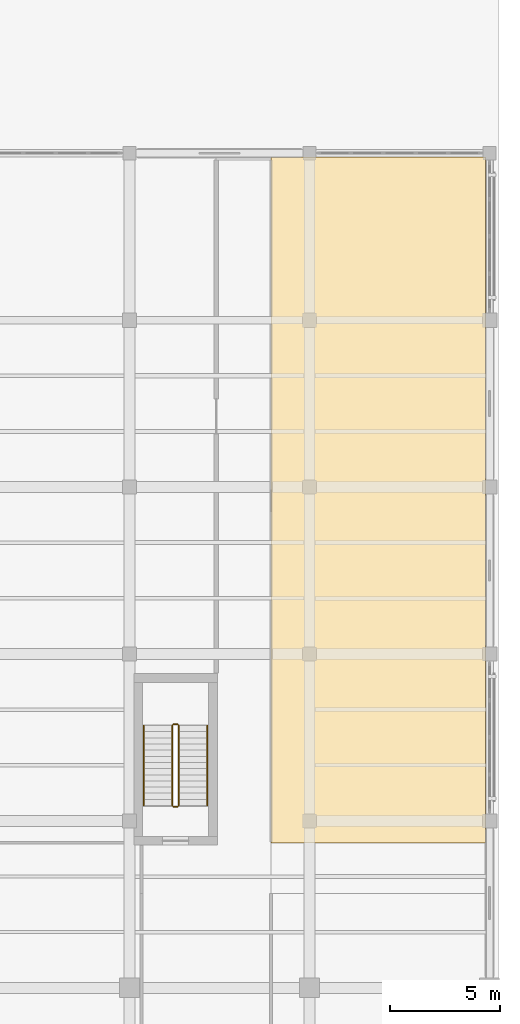
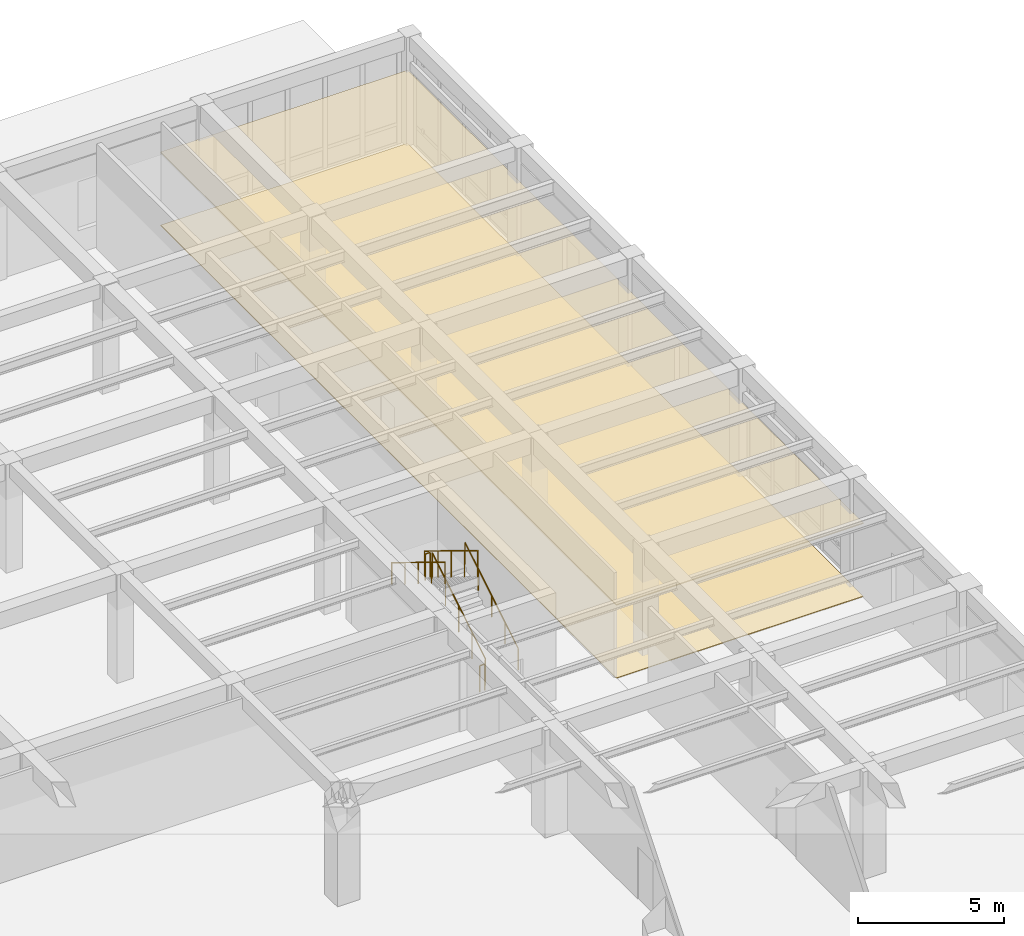
# One storey, part 49 of 49: 6 railings, 2 coverings.
"""IFC4 building model written with IfcOpenShell, lengths in metres."""

import ifcopenshell
import ifcopenshell.guid

model = None  # the IFC model being written
_history = None  # IfcOwnerHistory: only IFC2X3 demands one
_inside = {}  # id of a spatial element -> (the spatial element, [elements in it])
_under = {}  # id of a project, library or spatial element -> (it, [spatial elements below it])
_declared = {}  # id of a project -> (the project, [libraries it declares])
_typed = {}  # id of a type object -> (the type object, [elements of that type])
_made_of = {}  # id of a material, layer set ... -> (it, [elements and type objects made of it])


def new_model(schema):
    """Start an empty IFC model of exactly this schema.

    Asked for "IFC4X3", IfcOpenShell would pick the latest addendum, in which some entities
    have other attributes; the version numbers below select the first issue.
    IFC2X3 requires an IfcOwnerHistory on every rooted entity: one is made here for all.
    """
    global model, _history
    if schema == "IFC4X3":
        model = ifcopenshell.file(schema_version=(4, 3, 0, 0))
    else:
        model = ifcopenshell.file(schema=schema)
    _inside.clear()
    _under.clear()
    _declared.clear()
    _typed.clear()
    _made_of.clear()
    _history = None
    if model.schema == "IFC2X3":
        org = make("IfcOrganization", Name="unknown")
        user = make(
            "IfcPersonAndOrganization",
            ThePerson=make("IfcPerson", FamilyName="unknown"),
            TheOrganization=org,
        )
        app = make(
            "IfcApplication",
            ApplicationDeveloper=org,
            Version="unknown",
            ApplicationFullName="unknown",
            ApplicationIdentifier="unknown",
        )
        _history = make(
            "IfcOwnerHistory",
            OwningUser=user,
            OwningApplication=app,
            ChangeAction="ADDED",
            CreationDate=0,
        )
    return model


def make(cls, **values):
    """One entity of the class cls with the attributes given. An attribute that is None is left unset."""
    return model.create_entity(
        cls, **{name: value for name, value in values.items() if value is not None}
    )


def rooted(cls, **values):
    """An entity with a GlobalId (a new one), such as an element, a storey or a relation."""
    return make(cls, GlobalId=ifcopenshell.guid.new(), OwnerHistory=_history, **values)


def si_unit(unit_type, name, prefix=None):
    """IfcSIUnit, for example si_unit("LENGTHUNIT", "METRE", prefix="MILLI")."""
    return make("IfcSIUnit", UnitType=unit_type, Prefix=prefix, Name=name)


def assignment(units):
    """IfcUnitAssignment: the units of a project."""
    return None if units is None else make("IfcUnitAssignment", Units=units)


def point(xyz):
    """IfcCartesianPoint."""
    return None if xyz is None else make("IfcCartesianPoint", Coordinates=xyz)


def direction(xyz):
    """IfcDirection."""
    return None if xyz is None else make("IfcDirection", DirectionRatios=xyz)


def frame(location, z_axis=None, x_axis=None):
    """IfcAxis2Placement3D, a coordinate frame: its origin and axes. An axis left out is left unset."""
    return make(
        "IfcAxis2Placement3D",
        Location=point(location),
        Axis=direction(z_axis),
        RefDirection=direction(x_axis),
    )


def frame_2d(location, x_axis=None):
    """IfcAxis2Placement2D, a coordinate frame in the plane: its origin and x axis."""
    return make(
        "IfcAxis2Placement2D", Location=point(location), RefDirection=direction(x_axis)
    )


def origin():
    """The frame at (0, 0, 0) with its axes left unset."""
    return frame((0.0, 0.0, 0.0))


def origin_2d():
    """The frame at (0, 0) in the plane with its x axis left unset."""
    return frame_2d((0.0, 0.0))


def place(relative_to, where):
    """IfcLocalPlacement: puts the frame where relative to a parent placement (None: the world)."""
    return make(
        "IfcLocalPlacement", PlacementRelTo=relative_to, RelativePlacement=where
    )


def context(
    kind, dimensions, precision=None, world=None, true_north=None, identifier=None
):
    """IfcGeometricRepresentationContext, for example the 3D "Model" context."""
    return make(
        "IfcGeometricRepresentationContext",
        ContextIdentifier=identifier,
        ContextType=kind,
        CoordinateSpaceDimension=dimensions,
        Precision=precision,
        WorldCoordinateSystem=world,
        TrueNorth=true_north,
    )


def subcontext(parent, identifier, kind, view, scale=None):
    """IfcGeometricRepresentationSubContext, for example "Body" below "Model"."""
    return make(
        "IfcGeometricRepresentationSubContext",
        ContextIdentifier=identifier,
        ContextType=kind,
        ParentContext=parent,
        TargetScale=scale,
        TargetView=view,
    )


def project(units=None, contexts=None):
    """IfcProject with its units and contexts."""
    return rooted(
        "IfcProject",
        Name="project",
        RepresentationContexts=contexts,
        UnitsInContext=assignment(units),
    )


def spatial(cls, under=None, at=None, **own):
    """A site, building, storey or space (cls), placed at a placement, below another one or the project."""
    s = rooted(cls, ObjectPlacement=at, **own)
    if under is not None:
        _under.setdefault(under.id(), (under, []))[1].append(s)
    return s


def polyline(points):
    """IfcPolyline through the points."""
    return make("IfcPolyline", Points=[point(p) for p in points])


def profile(cls, at=None, kind="AREA", **sizes):
    """A parametric profile (cls). Its sizes go by their IFC names, for example OverallWidth=200.0."""
    return make(cls, ProfileType=kind, Position=at, **sizes)


def circle(**sizes):
    """IfcCircleProfileDef."""
    return profile("IfcCircleProfileDef", **sizes)


def outline(outer, holes=None, kind="AREA"):
    """IfcArbitraryClosedProfileDef: a profile drawn as a closed curve; with holes, ...WithVoids."""
    if holes is None:
        return make("IfcArbitraryClosedProfileDef", ProfileType=kind, OuterCurve=outer)
    return make(
        "IfcArbitraryProfileDefWithVoids",
        ProfileType=kind,
        OuterCurve=outer,
        InnerCurves=holes,
    )


def extrude(swept, where, along, depth):
    """IfcExtrudedAreaSolid: the profile swept, set in the frame where, extruded along a direction by depth."""
    return make(
        "IfcExtrudedAreaSolid",
        SweptArea=swept,
        Position=where,
        ExtrudedDirection=direction(along),
        Depth=depth,
    )


def shape(context_of_items, identifier, shape_type, items):
    """IfcShapeRepresentation: the items that make up one representation, for example the "Body"."""
    return make(
        "IfcShapeRepresentation",
        ContextOfItems=context_of_items,
        RepresentationIdentifier=identifier,
        RepresentationType=shape_type,
        Items=items,
    )


def material(Name=None, Category=None):
    """IfcMaterial."""
    return make("IfcMaterial", Name=Name, Category=Category)


def layer(
    of_material, thickness, ventilated=None, Name=None, Category=None, Priority=None
):
    """IfcMaterialLayer: one layer of a wall or slab, of a material (None: an air gap)."""
    return make(
        "IfcMaterialLayer",
        Material=of_material,
        LayerThickness=thickness,
        IsVentilated=ventilated,
        Name=Name,
        Category=Category,
        Priority=Priority,
    )


def layer_set(layers, Name=None):
    """IfcMaterialLayerSet."""
    return make("IfcMaterialLayerSet", MaterialLayers=layers, LayerSetName=Name)


def made_of(thing, what):
    """Note that an element or type object is made of a material, layer set ...; save() writes the relation."""
    if what is not None:
        _made_of.setdefault(what.id(), (what, []))[1].append(thing)
    return thing


def type_object(cls, material=None, **own):
    """A type object (cls), such as IfcWallType, which elements share."""
    return made_of(rooted(cls, **own), material)


def element(
    cls,
    number,
    at=None,
    inside=None,
    cuts=None,
    type_object=None,
    material=None,
    context=None,
    identifier="Body",
    shape_type=None,
    held_by="IfcProductDefinitionShape",
    body=None,
    shapes=None,
    **own,
):
    """One element of the class cls, such as IfcWall. Its Tag is "e" and its number.

    at: its placement. inside: the storey or other place that contains it. cuts: it is an
    opening in that element (IfcRelVoidsElement). A single representation is given by context,
    identifier, shape_type and body (its items); several are given by shapes. held_by: the class
    of the entity that holds the representations. save() writes the other relations.
    """
    e = rooted(cls, Tag="e%d" % number, ObjectPlacement=at, **own)
    if body is not None:
        shapes = [shape(context, identifier, shape_type, body)]
    if shapes is not None:
        e.Representation = make(held_by, Representations=shapes)
    if inside is not None:
        _inside.setdefault(inside.id(), (inside, []))[1].append(e)
    if cuts is not None:
        rooted(
            "IfcRelVoidsElement", RelatingBuildingElement=cuts, RelatedOpeningElement=e
        )
    if type_object is not None:
        _typed.setdefault(type_object.id(), (type_object, []))[1].append(e)
    return made_of(e, material)


def aggregate(whole, parts):
    """IfcRelAggregates: a whole, such as a stair, and the parts it consists of."""
    return rooted("IfcRelAggregates", RelatingObject=whole, RelatedObjects=parts)


def save(model, path):
    """Write the relations noted so far, then the file.

    IfcRelAggregates (storeys below a building ...), IfcRelContainedInSpatialStructure (elements
    in a storey), IfcRelDefinesByType, IfcRelAssociatesMaterial and IfcRelDeclares: one each for
    every whole, place, type object, material and project.
    """
    for whole, parts in _under.values():
        aggregate(whole, parts)
    for where, things in _inside.values():
        rooted(
            "IfcRelContainedInSpatialStructure",
            RelatedElements=things,
            RelatingStructure=where,
        )
    for kind, things in _typed.values():
        rooted("IfcRelDefinesByType", RelatedObjects=things, RelatingType=kind)
    for what, things in _made_of.values():
        rooted("IfcRelAssociatesMaterial", RelatedObjects=things, RelatingMaterial=what)
    for by, libraries in _declared.values():
        rooted("IfcRelDeclares", RelatingContext=by, RelatedDefinitions=libraries)
    model.write(path)


model = new_model("IFC4")

# Units and contexts
model_context = context("Model", 3, precision=1e-05, world=origin(), true_north=direction((0.0, 1.0)))
body_context = subcontext(model_context, "Body", "Model", "MODEL_VIEW")
ifc_project = project(units=[si_unit("LENGTHUNIT", "METRE"), si_unit("AREAUNIT", "SQUARE_METRE"), si_unit("VOLUMEUNIT", "CUBIC_METRE"), si_unit("PLANEANGLEUNIT", "RADIAN"), si_unit("MASSUNIT", "GRAM", prefix="KILO")], contexts=[model_context])

# Site, building, storey
site_placement = place(None, origin())
site = spatial("IfcSite", under=ifc_project, at=site_placement, CompositionType="ELEMENT")
building_placement = place(site_placement, origin())
building = spatial("IfcBuilding", under=site, at=building_placement, Name="Qandaris Square Conservatory and Botanical Centre", CompositionType="ELEMENT")
storey_placement = place(building_placement, frame((0.0, 0.0, 10.199951171875)))
storey = spatial("IfcBuildingStorey", under=building, at=storey_placement, Name="L02", CompositionType="ELEMENT", Elevation=10.199951171875)

# Coverings
ifc_material_1 = material(Name="Honed Qatari Limestone", Category="masonry")
ifc_layer_1 = layer(ifc_material_1, 0.030029296875)
ifc_layer_set_1 = layer_set([ifc_layer_1], Name="Honed Qatari Limestone")
covering_type_1 = type_object("IfcCoveringType", Name="Honed Qatari Limestone Concourse Paving", PredefinedType="FLOORING", material=ifc_layer_set_1)
covering_1_placement = place(storey_placement, origin())
element("IfcCovering", 1, at=covering_1_placement, inside=storey, type_object=covering_type_1, Name="Botany Floor Seminar Room Flooring", PredefinedType="FLOORING", context=body_context, shape_type="SweptSolid", body=[
    extrude(outline(polyline([(153.85009765625, 68.800048828125), (153.85009765625, 68.85009765625), (153.85009765625, 99.89990234375), (153.85009765625, 100.02001953125), (163.6201171875, 100.02001953125), (163.6201171875, 68.800048828125), (153.85009765625, 68.800048828125)])), origin(), (0.0, 0.0, 1.0), 0.030029296875),
])
ifc_material_2 = material(Name="Engineered Oak Timber", Category="wood")
ifc_layer_2 = layer(ifc_material_2, 0.0400390625)
ifc_layer_set_2 = layer_set([ifc_layer_2], Name="Engineered Oak Timber")
covering_type_2 = type_object("IfcCoveringType", Name="Slatted Oak Acoustic Gallery Ceiling", PredefinedType="CEILING", material=ifc_layer_set_2)
covering_2_placement = place(storey_placement, frame((0.0, 0.0, 3.050048828125)))
element("IfcCovering", 2, at=covering_2_placement, inside=storey, type_object=covering_type_2, Name="Botany Floor Seminar Room Ceiling", PredefinedType="CEILING", context=body_context, shape_type="SweptSolid", body=[
    extrude(outline(polyline([(153.85009765625, 68.800048828125), (153.85009765625, 68.85009765625), (153.85009765625, 99.89990234375), (153.85009765625, 100.02001953125), (163.6201171875, 100.02001953125), (163.6201171875, 68.800048828125), (153.85009765625, 68.800048828125)])), origin(), (0.0, 0.0, 1.0), 0.0400390625),
])

# Railings
ifc_material_3 = material(Name="Stainless Steel", Category="steel")
railing_type_1 = type_object("IfcRailingType", Name="Stair Tubular Handrail 920mm", PredefinedType="HANDRAIL", material=ifc_material_3)
railing_1_placement = place(storey_placement, frame((150.949951171875, 70.5, 0.343017578125)))
element("IfcRailing", 3, at=railing_1_placement, inside=storey, type_object=railing_type_1, Name="L02 ST-3 stair handrail 1", PredefinedType="HANDRAIL", context=body_context, shape_type="SweptSolid", body=[
    extrude(circle(Radius=0.02392578125, at=origin_2d()), frame((0.0, 0.0, 0.89599609375), z_axis=(0.0, 0.852850264322, 0.5221555579), x_axis=(-1.0, 0.0, 0.0)), (0.0, 0.0, 1.0), 4.267822265625),
    extrude(circle(Radius=0.02099609375, at=origin_2d()), origin(), (0.0, 0.0, 1.0), 0.871826171875),
    extrude(circle(Radius=0.02099609375, at=origin_2d()), frame((0.0, 0.909912109375, 0.55712890625)), (0.0, 0.0, 1.0), 0.871826171875),
    extrude(circle(Radius=0.02099609375, at=origin_2d()), frame((0.0, 1.81982421875, 1.1142578125)), (0.0, 0.0, 1.0), 0.871826171875),
    extrude(circle(Radius=0.02099609375, at=origin_2d()), frame((0.0, 2.72998046875, 1.67138671875)), (0.0, 0.0, 1.0), 0.871826171875),
    extrude(circle(Radius=0.02099609375, at=origin_2d()), frame((0.0, 3.639892578125, 2.228515625)), (0.0, 0.0, 1.0), 0.871826171875),
])
railing_2_placement = place(storey_placement, frame((148.050048828125, 74.139892578125, 2.742919921875)))
element("IfcRailing", 4, at=railing_2_placement, inside=storey, type_object=railing_type_1, Name="L02 ST-3 stair handrail 2", PredefinedType="HANDRAIL", context=body_context, shape_type="SweptSolid", body=[
    extrude(circle(Radius=0.02392578125, at=origin_2d()), frame((0.0, 0.0, 0.89599609375), z_axis=(0.0, -0.852850264322, 0.5221555579), x_axis=(1.0, 0.0, 0.0)), (0.0, 0.0, 1.0), 4.267822265625),
    extrude(circle(Radius=0.02099609375, at=origin_2d()), origin(), (0.0, 0.0, 1.0), 0.871826171875),
    extrude(circle(Radius=0.02099609375, at=origin_2d()), frame((0.0, -0.909912109375, 0.55712890625)), (0.0, 0.0, 1.0), 0.871826171875),
    extrude(circle(Radius=0.02099609375, at=origin_2d()), frame((0.0, -1.81982421875, 1.1142578125)), (0.0, 0.0, 1.0), 0.871826171875),
    extrude(circle(Radius=0.02099609375, at=origin_2d()), frame((0.0, -2.72998046875, 1.67138671875)), (0.0, 0.0, 1.0), 0.871826171875),
    extrude(circle(Radius=0.02099609375, at=origin_2d()), frame((0.0, -3.639892578125, 2.228515625)), (0.0, 0.0, 1.0), 0.871826171875),
])
railing_type_2 = type_object("IfcRailingType", Name="Stairwell & Atrium Guardrail 1120mm", PredefinedType="GUARDRAIL", material=ifc_material_3)
railing_3_placement = place(storey_placement, frame((149.64990234375, 70.5, 0.17138671875)))
element("IfcRailing", 5, at=railing_3_placement, inside=storey, type_object=railing_type_2, Name="L02 ST-3 stair guard 1", PredefinedType="GUARDRAIL", context=body_context, shape_type="SweptSolid", body=[
    extrude(circle(Radius=0.02392578125, at=origin_2d()), frame((0.0, 0.0, 1.09619140625), z_axis=(0.0, 0.852824790078, 0.522197163366), x_axis=(-1.0, 0.0, 0.0)), (0.0, 0.0, 1.0), 4.26806640625),
    extrude(circle(Radius=0.02099609375, at=origin_2d()), origin(), (0.0, 0.0, 1.0), 1.072021484375),
    extrude(circle(Radius=0.02099609375, at=origin_2d()), frame((0.0, 0.909912109375, 0.55712890625)), (0.0, 0.0, 1.0), 1.072021484375),
    extrude(circle(Radius=0.02099609375, at=origin_2d()), frame((0.0, 1.81982421875, 1.1142578125)), (0.0, 0.0, 1.0), 1.072021484375),
    extrude(circle(Radius=0.02099609375, at=origin_2d()), frame((0.0, 2.72998046875, 1.671630859375)), (0.0, 0.0, 1.0), 1.072021484375),
    extrude(circle(Radius=0.02099609375, at=origin_2d()), frame((0.0, 3.639892578125, 2.228759765625)), (0.0, 0.0, 1.0), 1.072021484375),
])
railing_4_placement = place(storey_placement, frame((149.60009765625, 74.18994140625, 2.400146484375)))
element("IfcRailing", 6, at=railing_4_placement, inside=storey, type_object=railing_type_2, Name="L02 ST-3 stair guard 2", PredefinedType="GUARDRAIL", context=body_context, shape_type="SweptSolid", body=[
    extrude(circle(Radius=0.02392578125, at=origin_2d()), frame((0.0, 0.0, 1.09619140625), z_axis=(-1.0, 0.0, 0.0), x_axis=(0.0, -1.0, 0.0)), (0.0, 0.0, 1.0), 0.2001953125),
    extrude(circle(Radius=0.02099609375, at=origin_2d()), origin(), (0.0, 0.0, 1.0), 1.072021484375),
    extrude(circle(Radius=0.02099609375, at=origin_2d()), frame((-0.2001953125, 0.0, 0.0)), (0.0, 0.0, 1.0), 1.072021484375),
])
railing_5_placement = place(storey_placement, frame((149.35009765625, 74.139892578125, 2.571533203125)))
element("IfcRailing", 7, at=railing_5_placement, inside=storey, type_object=railing_type_2, Name="L02 ST-3 stair guard 3", PredefinedType="GUARDRAIL", context=body_context, shape_type="SweptSolid", body=[
    extrude(circle(Radius=0.02392578125, at=origin_2d()), frame((0.0, 0.0, 1.09619140625), z_axis=(0.0, -0.852850264322, 0.5221555579), x_axis=(1.0, 0.0, 0.0)), (0.0, 0.0, 1.0), 4.267822265625),
    extrude(circle(Radius=0.02099609375, at=origin_2d()), origin(), (0.0, 0.0, 1.0), 1.072021484375),
    extrude(circle(Radius=0.02099609375, at=origin_2d()), frame((0.0, -0.909912109375, 0.55712890625)), (0.0, 0.0, 1.0), 1.072021484375),
    extrude(circle(Radius=0.02099609375, at=origin_2d()), frame((0.0, -1.81982421875, 1.1142578125)), (0.0, 0.0, 1.0), 1.072021484375),
    extrude(circle(Radius=0.02099609375, at=origin_2d()), frame((0.0, -2.72998046875, 1.67138671875)), (0.0, 0.0, 1.0), 1.072021484375),
    extrude(circle(Radius=0.02099609375, at=origin_2d()), frame((0.0, -3.639892578125, 2.228515625)), (0.0, 0.0, 1.0), 1.072021484375),
])
railing_6_placement = place(storey_placement, frame((149.60009765625, 70.449951171875, 0.0)))
element("IfcRailing", 8, at=railing_6_placement, inside=storey, type_object=railing_type_2, Name="L02 ST-3 stair guard 4", PredefinedType="GUARDRAIL", context=body_context, shape_type="SweptSolid", body=[
    extrude(circle(Radius=0.02392578125, at=origin_2d()), frame((0.0, 0.0, 1.09619140625), z_axis=(-1.0, 0.0, 0.0), x_axis=(0.0, -1.0, 0.0)), (0.0, 0.0, 1.0), 0.2001953125),
    extrude(circle(Radius=0.02099609375, at=origin_2d()), origin(), (0.0, 0.0, 1.0), 1.072021484375),
    extrude(circle(Radius=0.02099609375, at=origin_2d()), frame((-0.2001953125, 0.0, 0.0)), (0.0, 0.0, 1.0), 1.072021484375),
])

save(model, "model.ifc")
